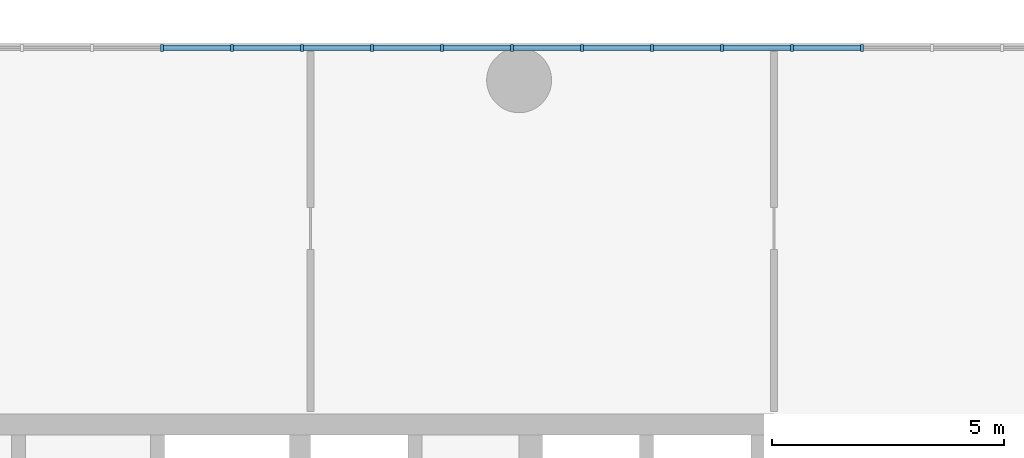
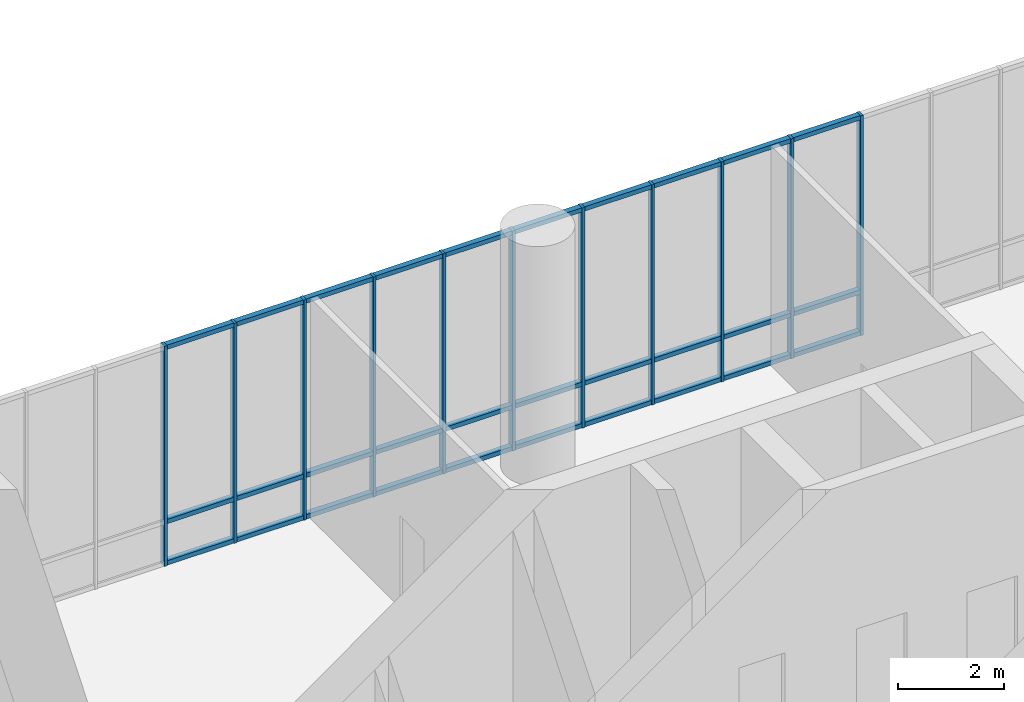
# One storey, part 16 of 30: 41 members, 1 element without a shape of its own.
"""IFC4 building model written with IfcOpenShell, lengths in metres."""

from ifc_helpers import new_model, si_unit, direction, frame, origin, origin_2d, place, context, subcontext, project, spatial, rectangle, extrude, material, layer, layer_set, material_profile, profile_set, type_object, element, aggregate, save


model = new_model("IFC4")

# Units and contexts
model_context = context("Model", 3, precision=1e-05, world=origin(), true_north=direction((0.0, 1.0)))
body_context = subcontext(model_context, "Body", "Model", "MODEL_VIEW")
ifc_project = project(units=[si_unit("LENGTHUNIT", "METRE"), si_unit("AREAUNIT", "SQUARE_METRE"), si_unit("VOLUMEUNIT", "CUBIC_METRE"), si_unit("PLANEANGLEUNIT", "RADIAN"), si_unit("MASSUNIT", "GRAM", prefix="KILO")], contexts=[model_context])

# Site, building, storey
site_placement = place(None, origin())
site = spatial("IfcSite", under=ifc_project, at=site_placement, CompositionType="ELEMENT")
building_placement = place(site_placement, origin())
building = spatial("IfcBuilding", under=site, at=building_placement, Name="Torana Hotel and Residences", CompositionType="ELEMENT")
storey_placement = place(building_placement, frame((0.0, 0.0, 12.5)))
storey = spatial("IfcBuildingStorey", under=building, at=storey_placement, Name="L02", CompositionType="ELEMENT", Elevation=12.5)

# Curtain wall, members
ifc_material_1 = material(Name="Dark anodised aluminium", Category="aluminium")
ifc_layer = layer(ifc_material_1, 0.14990234375)
ifc_layer_set = layer_set([ifc_layer], Name="CW5 PODIUM UPPER UNITISED CURTAIN WALL")
curtain_wall_type = type_object("IfcCurtainWallType", Name="CW5 PODIUM UPPER UNITISED CURTAIN WALL", PredefinedType="NOTDEFINED", material=ifc_layer_set)
curtain_wall_placement = place(storey_placement, origin())
curtain_wall = element("IfcCurtainWall", 1, at=curtain_wall_placement, inside=storey, type_object=curtain_wall_type, Name="Curtain wall CW5 L02 e1.10", PredefinedType="NOTDEFINED")
ifc_material_2 = material(Name="Dark anodised aluminium", Category="aluminium")
ifc_material_profile_1 = material_profile(ifc_material_2, rectangle(XDim=0.14990234375, YDim=0.06005859375, at=origin_2d()), Name="CW5 MULLION 60x150")
ifc_profile_set_1 = profile_set([ifc_material_profile_1], Name="Dark anodised aluminium")
member_type_1 = type_object("IfcMemberType", Name="CW5 MULLION 60x150", PredefinedType="MULLION", material=ifc_profile_set_1)
member_1_placement = place(storey_placement, frame((31.400146484375, 7.89990234375, 0.0), z_axis=(0.0, 0.0, 1.0), x_axis=(0.0, -1.0, 0.0)))
member_1 = element("IfcMember", 2, at=member_1_placement, type_object=member_type_1, Name="CW5 mullion 8", PredefinedType="MULLION", context=body_context, shape_type="SweptSolid", body=[
    extrude(rectangle(XDim=0.14990234375, YDim=0.06005859375, at=origin_2d()), origin(), (0.0, 0.0, 1.0), 5.050048828125),
])
member_2_placement = place(storey_placement, frame((29.8896484375, 7.89990234375, 0.0), z_axis=(0.0, 0.0, 1.0), x_axis=(0.0, -1.0, 0.0)))
member_2 = element("IfcMember", 3, at=member_2_placement, type_object=member_type_1, Name="CW5 mullion 9", PredefinedType="MULLION", context=body_context, shape_type="SweptSolid", body=[
    extrude(rectangle(XDim=0.14990234375, YDim=0.06005859375, at=origin_2d()), origin(), (0.0, 0.0, 1.0), 5.050048828125),
])
member_3_placement = place(storey_placement, frame((28.37890625, 7.89990234375, 0.0), z_axis=(0.0, 0.0, 1.0), x_axis=(0.0, -1.0, 0.0)))
member_3 = element("IfcMember", 4, at=member_3_placement, type_object=member_type_1, Name="CW5 mullion 10", PredefinedType="MULLION", context=body_context, shape_type="SweptSolid", body=[
    extrude(rectangle(XDim=0.14990234375, YDim=0.06005859375, at=origin_2d()), origin(), (0.0, 0.0, 1.0), 5.050048828125),
])
member_4_placement = place(storey_placement, frame((26.8681640625, 7.89990234375, 0.0), z_axis=(0.0, 0.0, 1.0), x_axis=(0.0, -1.0, 0.0)))
member_4 = element("IfcMember", 5, at=member_4_placement, type_object=member_type_1, Name="CW5 mullion 11", PredefinedType="MULLION", context=body_context, shape_type="SweptSolid", body=[
    extrude(rectangle(XDim=0.14990234375, YDim=0.06005859375, at=origin_2d()), origin(), (0.0, 0.0, 1.0), 5.050048828125),
])
member_5_placement = place(storey_placement, frame((25.357421875, 7.89990234375, 0.0), z_axis=(0.0, 0.0, 1.0), x_axis=(0.0, -1.0, 0.0)))
member_5 = element("IfcMember", 6, at=member_5_placement, type_object=member_type_1, Name="CW5 mullion 12", PredefinedType="MULLION", context=body_context, shape_type="SweptSolid", body=[
    extrude(rectangle(XDim=0.14990234375, YDim=0.06005859375, at=origin_2d()), origin(), (0.0, 0.0, 1.0), 5.050048828125),
])
member_6_placement = place(storey_placement, frame((23.8466796875, 7.89990234375, 0.0), z_axis=(0.0, 0.0, 1.0), x_axis=(0.0, -1.0, 0.0)))
member_6 = element("IfcMember", 7, at=member_6_placement, type_object=member_type_1, Name="CW5 mullion 13", PredefinedType="MULLION", context=body_context, shape_type="SweptSolid", body=[
    extrude(rectangle(XDim=0.14990234375, YDim=0.06005859375, at=origin_2d()), origin(), (0.0, 0.0, 1.0), 5.050048828125),
])
member_7_placement = place(storey_placement, frame((22.3359375, 7.89990234375, 0.0), z_axis=(0.0, 0.0, 1.0), x_axis=(0.0, -1.0, 0.0)))
member_7 = element("IfcMember", 8, at=member_7_placement, type_object=member_type_1, Name="CW5 mullion 14", PredefinedType="MULLION", context=body_context, shape_type="SweptSolid", body=[
    extrude(rectangle(XDim=0.14990234375, YDim=0.06005859375, at=origin_2d()), origin(), (0.0, 0.0, 1.0), 5.050048828125),
])
member_8_placement = place(storey_placement, frame((20.8251953125, 7.89990234375, 0.0), z_axis=(0.0, 0.0, 1.0), x_axis=(0.0, -1.0, 0.0)))
member_8 = element("IfcMember", 9, at=member_8_placement, type_object=member_type_1, Name="CW5 mullion 15", PredefinedType="MULLION", context=body_context, shape_type="SweptSolid", body=[
    extrude(rectangle(XDim=0.14990234375, YDim=0.06005859375, at=origin_2d()), origin(), (0.0, 0.0, 1.0), 5.050048828125),
])
member_9_placement = place(storey_placement, frame((19.314453125, 7.89990234375, 0.0), z_axis=(0.0, 0.0, 1.0), x_axis=(0.0, -1.0, 0.0)))
member_9 = element("IfcMember", 10, at=member_9_placement, type_object=member_type_1, Name="CW5 mullion 16", PredefinedType="MULLION", context=body_context, shape_type="SweptSolid", body=[
    extrude(rectangle(XDim=0.14990234375, YDim=0.06005859375, at=origin_2d()), origin(), (0.0, 0.0, 1.0), 5.050048828125),
])
member_10_placement = place(storey_placement, frame((17.8037109375, 7.89990234375, 0.0), z_axis=(0.0, 0.0, 1.0), x_axis=(0.0, -1.0, 0.0)))
member_10 = element("IfcMember", 11, at=member_10_placement, type_object=member_type_1, Name="CW5 mullion 17", PredefinedType="MULLION", context=body_context, shape_type="SweptSolid", body=[
    extrude(rectangle(XDim=0.14990234375, YDim=0.06005859375, at=origin_2d()), origin(), (0.0, 0.0, 1.0), 5.050048828125),
])
member_11_placement = place(storey_placement, frame((16.29296875, 7.89990234375, 0.0), z_axis=(0.0, 0.0, 1.0), x_axis=(0.0, -1.0, 0.0)))
member_11 = element("IfcMember", 12, at=member_11_placement, type_object=member_type_1, Name="CW5 mullion 18", PredefinedType="MULLION", context=body_context, shape_type="SweptSolid", body=[
    extrude(rectangle(XDim=0.14990234375, YDim=0.06005859375, at=origin_2d()), origin(), (0.0, 0.0, 1.0), 5.050048828125),
])
ifc_material_3 = material(Name="Dark anodised aluminium", Category="aluminium")
ifc_material_profile_2 = material_profile(ifc_material_3, rectangle(XDim=0.1201171875, YDim=0.10009765625, at=origin_2d()), Name="CW5 TRANSOM 120x100")
ifc_profile_set_2 = profile_set([ifc_material_profile_2], Name="Dark anodised aluminium")
member_type_2 = type_object("IfcMemberType", Name="CW5 TRANSOM 120x100", PredefinedType="USERDEFINED", material=ifc_profile_set_2)
member_12_placement = place(storey_placement, frame((31.370361328125, 7.89990234375, 0.050048828125), z_axis=(-1.0, 0.0, 0.0), x_axis=(0.0, -1.0, 0.0)))
member_12 = element("IfcMember", 13, at=member_12_placement, type_object=member_type_2, Name="CW5 transom 8.1", ObjectType="TRANSOM", PredefinedType="USERDEFINED", context=body_context, shape_type="SweptSolid", body=[
    extrude(rectangle(XDim=0.1201171875, YDim=0.10009765625, at=origin_2d()), origin(), (0.0, 0.0, 1.0), 1.450927734375),
])
member_13_placement = place(storey_placement, frame((31.370361328125, 7.89990234375, 1.0), z_axis=(-1.0, 0.0, 0.0), x_axis=(0.0, -1.0, 0.0)))
member_13 = element("IfcMember", 14, at=member_13_placement, type_object=member_type_2, Name="CW5 transom 8.2", ObjectType="TRANSOM", PredefinedType="USERDEFINED", context=body_context, shape_type="SweptSolid", body=[
    extrude(rectangle(XDim=0.1201171875, YDim=0.10009765625, at=origin_2d()), origin(), (0.0, 0.0, 1.0), 1.450927734375),
])
member_14_placement = place(storey_placement, frame((31.370361328125, 7.89990234375, 5.0), z_axis=(-1.0, 0.0, 0.0), x_axis=(0.0, -1.0, 0.0)))
member_14 = element("IfcMember", 15, at=member_14_placement, type_object=member_type_2, Name="CW5 transom 8.3", ObjectType="TRANSOM", PredefinedType="USERDEFINED", context=body_context, shape_type="SweptSolid", body=[
    extrude(rectangle(XDim=0.1201171875, YDim=0.10009765625, at=origin_2d()), origin(), (0.0, 0.0, 1.0), 1.450927734375),
])
member_15_placement = place(storey_placement, frame((29.859619140625, 7.89990234375, 0.050048828125), z_axis=(-1.0, 0.0, 0.0), x_axis=(0.0, -1.0, 0.0)))
member_15 = element("IfcMember", 16, at=member_15_placement, type_object=member_type_2, Name="CW5 transom 9.1", ObjectType="TRANSOM", PredefinedType="USERDEFINED", context=body_context, shape_type="SweptSolid", body=[
    extrude(rectangle(XDim=0.1201171875, YDim=0.10009765625, at=origin_2d()), origin(), (0.0, 0.0, 1.0), 1.450927734375),
])
member_16_placement = place(storey_placement, frame((29.859619140625, 7.89990234375, 1.0), z_axis=(-1.0, 0.0, 0.0), x_axis=(0.0, -1.0, 0.0)))
member_16 = element("IfcMember", 17, at=member_16_placement, type_object=member_type_2, Name="CW5 transom 9.2", ObjectType="TRANSOM", PredefinedType="USERDEFINED", context=body_context, shape_type="SweptSolid", body=[
    extrude(rectangle(XDim=0.1201171875, YDim=0.10009765625, at=origin_2d()), origin(), (0.0, 0.0, 1.0), 1.450927734375),
])
member_17_placement = place(storey_placement, frame((29.859619140625, 7.89990234375, 5.0), z_axis=(-1.0, 0.0, 0.0), x_axis=(0.0, -1.0, 0.0)))
member_17 = element("IfcMember", 18, at=member_17_placement, type_object=member_type_2, Name="CW5 transom 9.3", ObjectType="TRANSOM", PredefinedType="USERDEFINED", context=body_context, shape_type="SweptSolid", body=[
    extrude(rectangle(XDim=0.1201171875, YDim=0.10009765625, at=origin_2d()), origin(), (0.0, 0.0, 1.0), 1.450927734375),
])
member_18_placement = place(storey_placement, frame((28.348876953125, 7.89990234375, 0.050048828125), z_axis=(-1.0, 0.0, 0.0), x_axis=(0.0, -1.0, 0.0)))
member_18 = element("IfcMember", 19, at=member_18_placement, type_object=member_type_2, Name="CW5 transom 10.1", ObjectType="TRANSOM", PredefinedType="USERDEFINED", context=body_context, shape_type="SweptSolid", body=[
    extrude(rectangle(XDim=0.1201171875, YDim=0.10009765625, at=origin_2d()), origin(), (0.0, 0.0, 1.0), 1.450927734375),
])
member_19_placement = place(storey_placement, frame((28.348876953125, 7.89990234375, 1.0), z_axis=(-1.0, 0.0, 0.0), x_axis=(0.0, -1.0, 0.0)))
member_19 = element("IfcMember", 20, at=member_19_placement, type_object=member_type_2, Name="CW5 transom 10.2", ObjectType="TRANSOM", PredefinedType="USERDEFINED", context=body_context, shape_type="SweptSolid", body=[
    extrude(rectangle(XDim=0.1201171875, YDim=0.10009765625, at=origin_2d()), origin(), (0.0, 0.0, 1.0), 1.450927734375),
])
member_20_placement = place(storey_placement, frame((28.348876953125, 7.89990234375, 5.0), z_axis=(-1.0, 0.0, 0.0), x_axis=(0.0, -1.0, 0.0)))
member_20 = element("IfcMember", 21, at=member_20_placement, type_object=member_type_2, Name="CW5 transom 10.3", ObjectType="TRANSOM", PredefinedType="USERDEFINED", context=body_context, shape_type="SweptSolid", body=[
    extrude(rectangle(XDim=0.1201171875, YDim=0.10009765625, at=origin_2d()), origin(), (0.0, 0.0, 1.0), 1.450927734375),
])
member_21_placement = place(storey_placement, frame((26.838134765625, 7.89990234375, 0.050048828125), z_axis=(-1.0, 0.0, 0.0), x_axis=(0.0, -1.0, 0.0)))
member_21 = element("IfcMember", 22, at=member_21_placement, type_object=member_type_2, Name="CW5 transom 11.1", ObjectType="TRANSOM", PredefinedType="USERDEFINED", context=body_context, shape_type="SweptSolid", body=[
    extrude(rectangle(XDim=0.1201171875, YDim=0.10009765625, at=origin_2d()), origin(), (0.0, 0.0, 1.0), 1.45068359375),
])
member_22_placement = place(storey_placement, frame((26.838134765625, 7.89990234375, 1.0), z_axis=(-1.0, 0.0, 0.0), x_axis=(0.0, -1.0, 0.0)))
member_22 = element("IfcMember", 23, at=member_22_placement, type_object=member_type_2, Name="CW5 transom 11.2", ObjectType="TRANSOM", PredefinedType="USERDEFINED", context=body_context, shape_type="SweptSolid", body=[
    extrude(rectangle(XDim=0.1201171875, YDim=0.10009765625, at=origin_2d()), origin(), (0.0, 0.0, 1.0), 1.45068359375),
])
member_23_placement = place(storey_placement, frame((26.838134765625, 7.89990234375, 5.0), z_axis=(-1.0, 0.0, 0.0), x_axis=(0.0, -1.0, 0.0)))
member_23 = element("IfcMember", 24, at=member_23_placement, type_object=member_type_2, Name="CW5 transom 11.3", ObjectType="TRANSOM", PredefinedType="USERDEFINED", context=body_context, shape_type="SweptSolid", body=[
    extrude(rectangle(XDim=0.1201171875, YDim=0.10009765625, at=origin_2d()), origin(), (0.0, 0.0, 1.0), 1.45068359375),
])
member_24_placement = place(storey_placement, frame((25.327392578125, 7.89990234375, 0.050048828125), z_axis=(-1.0, 0.0, 0.0), x_axis=(0.0, -1.0, 0.0)))
member_24 = element("IfcMember", 25, at=member_24_placement, type_object=member_type_2, Name="CW5 transom 12.1", ObjectType="TRANSOM", PredefinedType="USERDEFINED", context=body_context, shape_type="SweptSolid", body=[
    extrude(rectangle(XDim=0.1201171875, YDim=0.10009765625, at=origin_2d()), origin(), (0.0, 0.0, 1.0), 1.45068359375),
])
member_25_placement = place(storey_placement, frame((25.327392578125, 7.89990234375, 1.0), z_axis=(-1.0, 0.0, 0.0), x_axis=(0.0, -1.0, 0.0)))
member_25 = element("IfcMember", 26, at=member_25_placement, type_object=member_type_2, Name="CW5 transom 12.2", ObjectType="TRANSOM", PredefinedType="USERDEFINED", context=body_context, shape_type="SweptSolid", body=[
    extrude(rectangle(XDim=0.1201171875, YDim=0.10009765625, at=origin_2d()), origin(), (0.0, 0.0, 1.0), 1.45068359375),
])
member_26_placement = place(storey_placement, frame((25.327392578125, 7.89990234375, 5.0), z_axis=(-1.0, 0.0, 0.0), x_axis=(0.0, -1.0, 0.0)))
member_26 = element("IfcMember", 27, at=member_26_placement, type_object=member_type_2, Name="CW5 transom 12.3", ObjectType="TRANSOM", PredefinedType="USERDEFINED", context=body_context, shape_type="SweptSolid", body=[
    extrude(rectangle(XDim=0.1201171875, YDim=0.10009765625, at=origin_2d()), origin(), (0.0, 0.0, 1.0), 1.45068359375),
])
member_27_placement = place(storey_placement, frame((23.816650390625, 7.89990234375, 0.050048828125), z_axis=(-1.0, 0.0, 0.0), x_axis=(0.0, -1.0, 0.0)))
member_27 = element("IfcMember", 28, at=member_27_placement, type_object=member_type_2, Name="CW5 transom 13.1", ObjectType="TRANSOM", PredefinedType="USERDEFINED", context=body_context, shape_type="SweptSolid", body=[
    extrude(rectangle(XDim=0.1201171875, YDim=0.10009765625, at=origin_2d()), origin(), (0.0, 0.0, 1.0), 1.45068359375),
])
member_28_placement = place(storey_placement, frame((23.816650390625, 7.89990234375, 1.0), z_axis=(-1.0, 0.0, 0.0), x_axis=(0.0, -1.0, 0.0)))
member_28 = element("IfcMember", 29, at=member_28_placement, type_object=member_type_2, Name="CW5 transom 13.2", ObjectType="TRANSOM", PredefinedType="USERDEFINED", context=body_context, shape_type="SweptSolid", body=[
    extrude(rectangle(XDim=0.1201171875, YDim=0.10009765625, at=origin_2d()), origin(), (0.0, 0.0, 1.0), 1.45068359375),
])
member_29_placement = place(storey_placement, frame((23.816650390625, 7.89990234375, 5.0), z_axis=(-1.0, 0.0, 0.0), x_axis=(0.0, -1.0, 0.0)))
member_29 = element("IfcMember", 30, at=member_29_placement, type_object=member_type_2, Name="CW5 transom 13.3", ObjectType="TRANSOM", PredefinedType="USERDEFINED", context=body_context, shape_type="SweptSolid", body=[
    extrude(rectangle(XDim=0.1201171875, YDim=0.10009765625, at=origin_2d()), origin(), (0.0, 0.0, 1.0), 1.45068359375),
])
member_30_placement = place(storey_placement, frame((22.305908203125, 7.89990234375, 0.050048828125), z_axis=(-1.0, 0.0, 0.0), x_axis=(0.0, -1.0, 0.0)))
member_30 = element("IfcMember", 31, at=member_30_placement, type_object=member_type_2, Name="CW5 transom 14.1", ObjectType="TRANSOM", PredefinedType="USERDEFINED", context=body_context, shape_type="SweptSolid", body=[
    extrude(rectangle(XDim=0.1201171875, YDim=0.10009765625, at=origin_2d()), origin(), (0.0, 0.0, 1.0), 1.45068359375),
])
member_31_placement = place(storey_placement, frame((22.305908203125, 7.89990234375, 1.0), z_axis=(-1.0, 0.0, 0.0), x_axis=(0.0, -1.0, 0.0)))
member_31 = element("IfcMember", 32, at=member_31_placement, type_object=member_type_2, Name="CW5 transom 14.2", ObjectType="TRANSOM", PredefinedType="USERDEFINED", context=body_context, shape_type="SweptSolid", body=[
    extrude(rectangle(XDim=0.1201171875, YDim=0.10009765625, at=origin_2d()), origin(), (0.0, 0.0, 1.0), 1.45068359375),
])
member_32_placement = place(storey_placement, frame((22.305908203125, 7.89990234375, 5.0), z_axis=(-1.0, 0.0, 0.0), x_axis=(0.0, -1.0, 0.0)))
member_32 = element("IfcMember", 33, at=member_32_placement, type_object=member_type_2, Name="CW5 transom 14.3", ObjectType="TRANSOM", PredefinedType="USERDEFINED", context=body_context, shape_type="SweptSolid", body=[
    extrude(rectangle(XDim=0.1201171875, YDim=0.10009765625, at=origin_2d()), origin(), (0.0, 0.0, 1.0), 1.45068359375),
])
member_33_placement = place(storey_placement, frame((20.795166015625, 7.89990234375, 0.050048828125), z_axis=(-1.0, 0.0, 0.0), x_axis=(0.0, -1.0, 0.0)))
member_33 = element("IfcMember", 34, at=member_33_placement, type_object=member_type_2, Name="CW5 transom 15.1", ObjectType="TRANSOM", PredefinedType="USERDEFINED", context=body_context, shape_type="SweptSolid", body=[
    extrude(rectangle(XDim=0.1201171875, YDim=0.10009765625, at=origin_2d()), origin(), (0.0, 0.0, 1.0), 1.45068359375),
])
member_34_placement = place(storey_placement, frame((20.795166015625, 7.89990234375, 1.0), z_axis=(-1.0, 0.0, 0.0), x_axis=(0.0, -1.0, 0.0)))
member_34 = element("IfcMember", 35, at=member_34_placement, type_object=member_type_2, Name="CW5 transom 15.2", ObjectType="TRANSOM", PredefinedType="USERDEFINED", context=body_context, shape_type="SweptSolid", body=[
    extrude(rectangle(XDim=0.1201171875, YDim=0.10009765625, at=origin_2d()), origin(), (0.0, 0.0, 1.0), 1.45068359375),
])
member_35_placement = place(storey_placement, frame((20.795166015625, 7.89990234375, 5.0), z_axis=(-1.0, 0.0, 0.0), x_axis=(0.0, -1.0, 0.0)))
member_35 = element("IfcMember", 36, at=member_35_placement, type_object=member_type_2, Name="CW5 transom 15.3", ObjectType="TRANSOM", PredefinedType="USERDEFINED", context=body_context, shape_type="SweptSolid", body=[
    extrude(rectangle(XDim=0.1201171875, YDim=0.10009765625, at=origin_2d()), origin(), (0.0, 0.0, 1.0), 1.45068359375),
])
member_36_placement = place(storey_placement, frame((19.284423828125, 7.89990234375, 0.050048828125), z_axis=(-1.0, 0.0, 0.0), x_axis=(0.0, -1.0, 0.0)))
member_36 = element("IfcMember", 37, at=member_36_placement, type_object=member_type_2, Name="CW5 transom 16.1", ObjectType="TRANSOM", PredefinedType="USERDEFINED", context=body_context, shape_type="SweptSolid", body=[
    extrude(rectangle(XDim=0.1201171875, YDim=0.10009765625, at=origin_2d()), origin(), (0.0, 0.0, 1.0), 1.45068359375),
])
member_37_placement = place(storey_placement, frame((19.284423828125, 7.89990234375, 1.0), z_axis=(-1.0, 0.0, 0.0), x_axis=(0.0, -1.0, 0.0)))
member_37 = element("IfcMember", 38, at=member_37_placement, type_object=member_type_2, Name="CW5 transom 16.2", ObjectType="TRANSOM", PredefinedType="USERDEFINED", context=body_context, shape_type="SweptSolid", body=[
    extrude(rectangle(XDim=0.1201171875, YDim=0.10009765625, at=origin_2d()), origin(), (0.0, 0.0, 1.0), 1.45068359375),
])
member_38_placement = place(storey_placement, frame((19.284423828125, 7.89990234375, 5.0), z_axis=(-1.0, 0.0, 0.0), x_axis=(0.0, -1.0, 0.0)))
member_38 = element("IfcMember", 39, at=member_38_placement, type_object=member_type_2, Name="CW5 transom 16.3", ObjectType="TRANSOM", PredefinedType="USERDEFINED", context=body_context, shape_type="SweptSolid", body=[
    extrude(rectangle(XDim=0.1201171875, YDim=0.10009765625, at=origin_2d()), origin(), (0.0, 0.0, 1.0), 1.45068359375),
])
member_39_placement = place(storey_placement, frame((17.773681640625, 7.89990234375, 0.050048828125), z_axis=(-1.0, 0.0, 0.0), x_axis=(0.0, -1.0, 0.0)))
member_39 = element("IfcMember", 40, at=member_39_placement, type_object=member_type_2, Name="CW5 transom 17.1", ObjectType="TRANSOM", PredefinedType="USERDEFINED", context=body_context, shape_type="SweptSolid", body=[
    extrude(rectangle(XDim=0.1201171875, YDim=0.10009765625, at=origin_2d()), origin(), (0.0, 0.0, 1.0), 1.45068359375),
])
member_40_placement = place(storey_placement, frame((17.773681640625, 7.89990234375, 1.0), z_axis=(-1.0, 0.0, 0.0), x_axis=(0.0, -1.0, 0.0)))
member_40 = element("IfcMember", 41, at=member_40_placement, type_object=member_type_2, Name="CW5 transom 17.2", ObjectType="TRANSOM", PredefinedType="USERDEFINED", context=body_context, shape_type="SweptSolid", body=[
    extrude(rectangle(XDim=0.1201171875, YDim=0.10009765625, at=origin_2d()), origin(), (0.0, 0.0, 1.0), 1.45068359375),
])
member_41_placement = place(storey_placement, frame((17.773681640625, 7.89990234375, 5.0), z_axis=(-1.0, 0.0, 0.0), x_axis=(0.0, -1.0, 0.0)))
member_41 = element("IfcMember", 42, at=member_41_placement, type_object=member_type_2, Name="CW5 transom 17.3", ObjectType="TRANSOM", PredefinedType="USERDEFINED", context=body_context, shape_type="SweptSolid", body=[
    extrude(rectangle(XDim=0.1201171875, YDim=0.10009765625, at=origin_2d()), origin(), (0.0, 0.0, 1.0), 1.45068359375),
])
aggregate(curtain_wall, [member_1, member_2, member_3, member_4, member_5, member_6, member_7, member_8, member_9, member_10, member_11, member_12, member_13, member_14, member_15, member_16, member_17, member_18, member_19, member_20, member_21, member_22, member_23, member_24, member_25, member_26, member_27, member_28, member_29, member_30, member_31, member_32, member_33, member_34, member_35, member_36, member_37, member_38, member_39, member_40, member_41])

save(model, "model.ifc")
